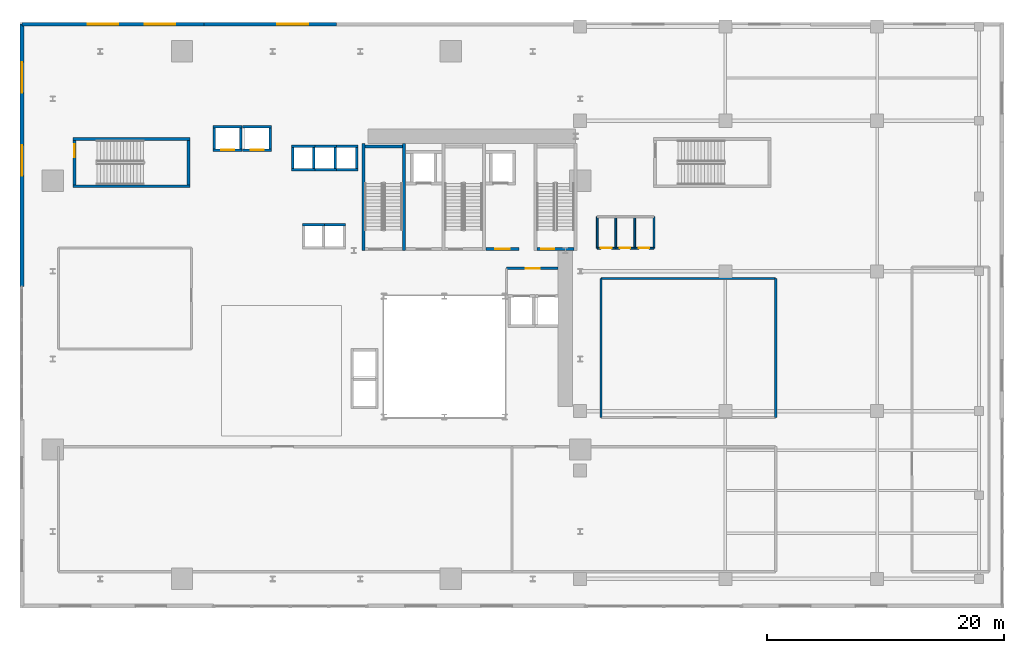
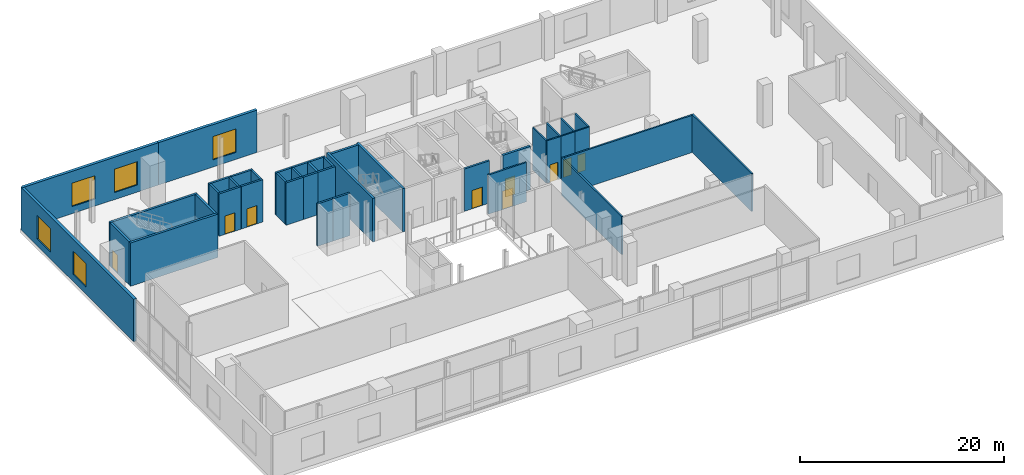
# One storey, part 7 of 12: 42 walls, 9 doors, 5 windows, 14 openings.
"""IFC4 building model written with IfcOpenShell, lengths in metres."""

from ifc_helpers import new_model, si_unit, direction, frame, frame_2d, origin, place, context, subcontext, project, spatial, rectangle, extrude, source, transform, mapped, material, layer, layer_set, type_object, element, fill, save


model = new_model("IFC4")

# Units and contexts
model_context = context("Model", 3, precision=1e-05, world=origin(), true_north=direction((0.0, 1.0)))
body_context = subcontext(model_context, "Body", "Model", "MODEL_VIEW")
ifc_project = project(units=[si_unit("LENGTHUNIT", "METRE"), si_unit("AREAUNIT", "SQUARE_METRE"), si_unit("VOLUMEUNIT", "CUBIC_METRE"), si_unit("PLANEANGLEUNIT", "RADIAN"), si_unit("MASSUNIT", "GRAM", prefix="KILO")], contexts=[model_context])

# Site, building, storey
site_placement = place(None, origin())
site = spatial("IfcSite", under=ifc_project, at=site_placement, CompositionType="ELEMENT")
building_placement = place(site_placement, origin())
building = spatial("IfcBuilding", under=site, at=building_placement, Name="Vardaveli Station Tower", CompositionType="ELEMENT")
storey_placement = place(building_placement, frame((0.0, 0.0, 17.0)))
storey = spatial("IfcBuildingStorey", under=building, at=storey_placement, Name="L04", CompositionType="ELEMENT", Elevation=17.0)

# Wall, openings, windows
ifc_material_1 = material(Name="Precast concrete C45/55", Category="concrete")
ifc_layer_1 = layer(ifc_material_1, 0.320068359375, Name="Precast concrete C45/55")
ifc_layer_set_1 = layer_set([ifc_layer_1], Name="Precast concrete C45/55")
wall_type_1 = type_object("IfcWallType", Name="WAL-EXT-STONE-320", PredefinedType="SOLIDWALL", material=ifc_layer_set_1)
shared_shape_1 = source(origin(), body_context, "Body", "SweptSolid", [
    extrude(rectangle(XDim=15.35009765625, YDim=0.320068359375, at=frame_2d((7.675048828125, 0.0))), origin(), (0.0, 0.0, 1.0), 5.080078125),
])
wall_1_placement = place(storey_placement, frame((16.0, 49.75, 0.0), z_axis=(0.0, 0.0, 1.0), x_axis=(-1.0, 0.0, 0.0)))
wall_1 = element("IfcWall", 1, at=wall_1_placement, inside=storey, type_object=wall_type_1, Name="EW-L04-N1", PredefinedType="SOLIDWALL", context=body_context, shape_type="MappedRepresentation", body=[
    mapped(shared_shape_1, transform((0.0, 0.0, 0.0), scale=1.0)),
])
shared_shape_2 = source(origin(), body_context, "Body", "SweptSolid", [
    extrude(rectangle(XDim=2.60009765625, YDim=2.800048828125, at=frame_2d((1.300048828125, 1.39990234375))), frame((0.0, 0.169921875, 0.0), z_axis=(0.0, -1.0, 0.0), x_axis=(1.0, 0.0, 0.0)), (0.0, 0.0, 1.0), 0.340087890625),
])
opening_1_placement = place(wall_1_placement, frame((2.39990234375, 0.0, 0.85009765625)))
opening_1 = element("IfcOpeningElement", 2, at=opening_1_placement, cuts=wall_1, Name="Opening W-02", PredefinedType="OPENING", context=body_context, shape_type="MappedRepresentation", body=[
    mapped(shared_shape_2, transform((0.0, 0.0, 0.0), scale=1.0)),
])
opening_2_placement = place(wall_1_placement, frame((7.199951171875, 0.0, 0.85009765625)))
opening_2 = element("IfcOpeningElement", 3, at=opening_2_placement, cuts=wall_1, Name="Opening W-02", PredefinedType="OPENING", context=body_context, shape_type="MappedRepresentation", body=[
    mapped(shared_shape_2, transform((0.0, 0.0, 0.0), scale=1.0)),
])
ifc_material_2 = material(Name="Low-E solar-control glass", Category="glass")
window_type = type_object("IfcWindowType", Name="WIN-POD-2600x2800", PartitioningType="SINGLE_PANEL", PredefinedType="WINDOW", material=ifc_material_2)
shared_shape_3 = source(origin(), body_context, "Body", "SweptSolid", [
    extrude(rectangle(XDim=2.60009765625, YDim=2.800048828125, at=frame_2d((1.300048828125, 1.39990234375))), frame((0.0, 0.030029296875, 0.0), z_axis=(0.0, -1.0, 0.0), x_axis=(1.0, 0.0, 0.0)), (0.0, 0.0, 1.0), 0.06005859375),
])
window_1_placement = place(opening_1_placement, origin())
window_1 = element("IfcWindow", 4, at=window_1_placement, inside=storey, type_object=window_type, Name="WN-L04-N1A", OverallHeight=2.800048828125, OverallWidth=2.60009765625, PartitioningType="SINGLE_PANEL", PredefinedType="WINDOW", context=body_context, shape_type="MappedRepresentation", body=[
    mapped(shared_shape_3, transform((0.0, 0.0, 0.0), scale=1.0)),
])
fill(opening_1, window_1)
window_2_placement = place(opening_2_placement, origin())
window_2 = element("IfcWindow", 5, at=window_2_placement, inside=storey, type_object=window_type, Name="WN-L04-N1B", OverallHeight=2.800048828125, OverallWidth=2.60009765625, PartitioningType="SINGLE_PANEL", PredefinedType="WINDOW", context=body_context, shape_type="MappedRepresentation", body=[
    mapped(shared_shape_3, transform((0.0, 0.0, 0.0), scale=1.0)),
])
fill(opening_2, window_2)

# Wall, opening, window
shared_shape_4 = source(origin(), body_context, "Body", "SweptSolid", [
    extrude(rectangle(XDim=11.199951171875, YDim=0.320068359375, at=frame_2d((5.60009765625, 0.0))), origin(), (0.0, 0.0, 1.0), 5.080078125),
])
wall_2_placement = place(storey_placement, frame((27.199951171875, 49.75, 0.0), z_axis=(0.0, 0.0, 1.0), x_axis=(-1.0, 0.0, 0.0)))
wall_2 = element("IfcWall", 6, at=wall_2_placement, inside=storey, type_object=wall_type_1, Name="EW-L04-N2", PredefinedType="SOLIDWALL", context=body_context, shape_type="MappedRepresentation", body=[
    mapped(shared_shape_4, transform((0.0, 0.0, 0.0), scale=1.0)),
])
opening_3_placement = place(wall_2_placement, frame((2.39990234375, 0.0, 0.85009765625)))
opening_3 = element("IfcOpeningElement", 7, at=opening_3_placement, cuts=wall_2, Name="Opening W-02", PredefinedType="OPENING", context=body_context, shape_type="MappedRepresentation", body=[
    mapped(shared_shape_2, transform((0.0, 0.0, 0.0), scale=1.0)),
])
window_3_placement = place(opening_3_placement, origin())
window_3 = element("IfcWindow", 8, at=window_3_placement, inside=storey, type_object=window_type, Name="WN-L04-N2A", OverallHeight=2.800048828125, OverallWidth=2.60009765625, PartitioningType="SINGLE_PANEL", PredefinedType="WINDOW", context=body_context, shape_type="MappedRepresentation", body=[
    mapped(shared_shape_3, transform((0.0, 0.0, 0.0), scale=1.0)),
])
fill(opening_3, window_3)

# Wall, openings, windows
shared_shape_5 = source(origin(), body_context, "Body", "SweptSolid", [
    extrude(rectangle(XDim=22.14990234375, YDim=0.320068359375, at=frame_2d((11.074951171875, 0.0))), origin(), (0.0, 0.0, 1.0), 5.080078125),
])
wall_3_placement = place(storey_placement, frame((0.64990234375, 49.75, 0.0), z_axis=(0.0, 0.0, 1.0), x_axis=(0.0, -1.0, 0.0)))
wall_3 = element("IfcWall", 9, at=wall_3_placement, inside=storey, type_object=wall_type_1, Name="EW-L04-W3", PredefinedType="SOLIDWALL", context=body_context, shape_type="MappedRepresentation", body=[
    mapped(shared_shape_5, transform((0.0, 0.0, 0.0), scale=1.0)),
])
opening_4_placement = place(wall_3_placement, frame((3.199951171875, 0.0, 0.85009765625)))
opening_4 = element("IfcOpeningElement", 10, at=opening_4_placement, cuts=wall_3, Name="Opening W-02", PredefinedType="OPENING", context=body_context, shape_type="MappedRepresentation", body=[
    mapped(shared_shape_2, transform((0.0, 0.0, 0.0), scale=1.0)),
])
opening_5_placement = place(wall_3_placement, frame((10.199951171875, 0.0, 0.85009765625)))
opening_5 = element("IfcOpeningElement", 11, at=opening_5_placement, cuts=wall_3, Name="Opening W-02", PredefinedType="OPENING", context=body_context, shape_type="MappedRepresentation", body=[
    mapped(shared_shape_2, transform((0.0, 0.0, 0.0), scale=1.0)),
])
window_4_placement = place(opening_4_placement, origin())
window_4 = element("IfcWindow", 12, at=window_4_placement, inside=storey, type_object=window_type, Name="WN-L04-W3A", OverallHeight=2.800048828125, OverallWidth=2.60009765625, PartitioningType="SINGLE_PANEL", PredefinedType="WINDOW", context=body_context, shape_type="MappedRepresentation", body=[
    mapped(shared_shape_3, transform((0.0, 0.0, 0.0), scale=1.0)),
])
fill(opening_4, window_4)
window_5_placement = place(opening_5_placement, origin())
window_5 = element("IfcWindow", 13, at=window_5_placement, inside=storey, type_object=window_type, Name="WN-L04-W3B", OverallHeight=2.800048828125, OverallWidth=2.60009765625, PartitioningType="SINGLE_PANEL", PredefinedType="WINDOW", context=body_context, shape_type="MappedRepresentation", body=[
    mapped(shared_shape_3, transform((0.0, 0.0, 0.0), scale=1.0)),
])
fill(opening_5, window_5)

# Walls
ifc_material_3 = material(Name="Concrete C40/50", Category="concrete")
ifc_layer_2 = layer(ifc_material_3, 0.25, Name="Concrete C40/50")
ifc_layer_set_2 = layer_set([ifc_layer_2], Name="Concrete C40/50")
wall_type_2 = type_object("IfcWallType", Name="WAL-SHAFT-250", PredefinedType="SOLIDWALL", material=ifc_layer_set_2)
shared_shape_6 = source(origin(), body_context, "Body", "SweptSolid", [
    extrude(rectangle(XDim=9.050048828125, YDim=0.25, at=frame_2d((4.52490234375, 0.0))), origin(), (0.0, 0.0, 1.0), 5.199951171875),
])
for number, where, z_axis, x_axis, name in (
    (14, (29.47509765625, 30.64990234375, 0.0), (0.0, 0.0, 1.0), (0.0, 1.0, 0.0), "W-L04-ST-1W"),
    (15, (32.875, 30.64990234375, 0.0), (0.0, 0.0, 1.0), (0.0, 1.0, 0.0), "W-L04-ST-1E"),
):
    element("IfcWall", number, at=place(storey_placement, frame(where, z_axis=z_axis, x_axis=x_axis)), inside=storey, type_object=wall_type_2, Name=name, PredefinedType="SOLIDWALL", context=body_context, shape_type="MappedRepresentation", body=[
        mapped(shared_shape_6, transform((0.0, 0.0, 0.0), scale=1.0)),
    ])
shared_shape_7 = source(origin(), body_context, "Body", "SweptSolid", [
    extrude(rectangle(XDim=3.14990234375, YDim=0.25, at=frame_2d((1.574951171875, 0.0))), origin(), (0.0, 0.0, 1.0), 5.199951171875),
])
wall_4_placement = place(storey_placement, frame((29.60009765625, 39.425048828125, 0.0), z_axis=(0.0, 0.0, 1.0), x_axis=(1.0, 0.0, 0.0)))
element("IfcWall", 16, at=wall_4_placement, inside=storey, type_object=wall_type_2, Name="W-L04-ST-1N", PredefinedType="SOLIDWALL", context=body_context, shape_type="MappedRepresentation", body=[
    mapped(shared_shape_7, transform((0.0, 0.0, 0.0), scale=1.0)),
])

# Wall, opening, door
wall_5_placement = place(storey_placement, frame((44.10009765625, 30.77490234375, 0.0), z_axis=(0.0, 0.0, 1.0), x_axis=(1.0, 0.0, 0.0)))
wall_5 = element("IfcWall", 17, at=wall_5_placement, inside=storey, type_object=wall_type_2, Name="W-L04-ST-3S", PredefinedType="SOLIDWALL", context=body_context, shape_type="MappedRepresentation", body=[
    mapped(shared_shape_7, transform((0.0, 0.0, 0.0), scale=1.0)),
])
shared_shape_8 = source(origin(), body_context, "Body", "SweptSolid", [
    extrude(rectangle(XDim=1.10009765625, YDim=2.199951171875, at=frame_2d((0.550048828125, 1.10009765625))), frame((0.0, 0.135009765625, 0.0), z_axis=(0.0, -1.0, 0.0), x_axis=(1.0, 0.0, 0.0)), (0.0, 0.0, 1.0), 0.27001953125),
])
opening_6_placement = place(wall_5_placement, frame((0.35009765625, 0.0, 0.0)))
opening_6 = element("IfcOpeningElement", 18, at=opening_6_placement, cuts=wall_5, Name="Opening D-04", PredefinedType="OPENING", context=body_context, shape_type="MappedRepresentation", body=[
    mapped(shared_shape_8, transform((0.0, 0.0, 0.0), scale=1.0)),
])
ifc_material_4 = material(Name="Steel smokeproof fire doorset", Category="steel")
door_type_1 = type_object("IfcDoorType", Name="DR-ST-1100x2200", OperationType="NOTDEFINED", PredefinedType="DOOR", material=ifc_material_4)
shared_shape_9 = source(origin(), body_context, "Body", "SweptSolid", [
    extrude(rectangle(XDim=1.10009765625, YDim=2.199951171875, at=frame_2d((0.550048828125, 1.10009765625))), frame((0.0, 0.02490234375, 0.0), z_axis=(0.0, -1.0, 0.0), x_axis=(1.0, 0.0, 0.0)), (0.0, 0.0, 1.0), 0.050048828125),
])
door_1_placement = place(opening_6_placement, origin())
door_1 = element("IfcDoor", 19, at=door_1_placement, inside=storey, type_object=door_type_1, Name="DST-3-L04", OperationType="SINGLE_SWING_LEFT", OverallHeight=2.199951171875, OverallWidth=1.10009765625, PredefinedType="DOOR", context=body_context, shape_type="MappedRepresentation", body=[
    mapped(shared_shape_9, transform((0.0, 0.0, 0.0), scale=1.0)),
])
fill(opening_6, door_1)

# Walls
shared_shape_10 = source(origin(), body_context, "Body", "SweptSolid", [
    extrude(rectangle(XDim=9.900146484375, YDim=0.25, at=frame_2d((4.9501953125, 0.0))), origin(), (0.0, 0.0, 1.0), 5.199951171875),
])
for number, where, z_axis, x_axis, name in (
    (20, (4.949951171875, 36.074951171875, 0.0), (0.0, 0.0, 1.0), (1.0, 0.0, 0.0), "W-L04-ST-P1S"),
    (21, (4.949951171875, 40.074951171875, 0.0), (0.0, 0.0, 1.0), (1.0, 0.0, 0.0), "W-L04-ST-P1N"),
):
    element("IfcWall", number, at=place(storey_placement, frame(where, z_axis=z_axis, x_axis=x_axis)), inside=storey, type_object=wall_type_2, Name=name, PredefinedType="SOLIDWALL", context=body_context, shape_type="MappedRepresentation", body=[
        mapped(shared_shape_10, transform((0.0, 0.0, 0.0), scale=1.0)),
    ])
shared_shape_11 = source(origin(), body_context, "Body", "SweptSolid", [
    extrude(rectangle(XDim=3.75, YDim=0.25, at=frame_2d((1.875, 0.0))), origin(), (0.0, 0.0, 1.0), 5.199951171875),
])
wall_6_placement = place(storey_placement, frame((14.72509765625, 36.199951171875, 0.0), z_axis=(0.0, 0.0, 1.0), x_axis=(0.0, 1.0, 0.0)))
element("IfcWall", 22, at=wall_6_placement, inside=storey, type_object=wall_type_2, Name="W-L04-ST-P1E", PredefinedType="SOLIDWALL", context=body_context, shape_type="MappedRepresentation", body=[
    mapped(shared_shape_11, transform((0.0, 0.0, 0.0), scale=1.0)),
])

# Wall, opening, door
wall_7_placement = place(storey_placement, frame((5.074951171875, 36.199951171875, 0.0), z_axis=(0.0, 0.0, 1.0), x_axis=(0.0, 1.0, 0.0)))
wall_7 = element("IfcWall", 23, at=wall_7_placement, inside=storey, type_object=wall_type_2, Name="W-L04-ST-P1W", PredefinedType="SOLIDWALL", context=body_context, shape_type="MappedRepresentation", body=[
    mapped(shared_shape_11, transform((0.0, 0.0, 0.0), scale=1.0)),
])
opening_7_placement = place(wall_7_placement, frame((2.300048828125, 0.0, 0.0)))
opening_7 = element("IfcOpeningElement", 24, at=opening_7_placement, cuts=wall_7, Name="Opening D-04", PredefinedType="OPENING", context=body_context, shape_type="MappedRepresentation", body=[
    mapped(shared_shape_8, transform((0.0, 0.0, 0.0), scale=1.0)),
])
door_2_placement = place(opening_7_placement, origin())
door_2 = element("IfcDoor", 25, at=door_2_placement, inside=storey, type_object=door_type_1, Name="DST-P1-L04", OperationType="SINGLE_SWING_RIGHT", OverallHeight=2.199951171875, OverallWidth=1.10009765625, PredefinedType="DOOR", context=body_context, shape_type="MappedRepresentation", body=[
    mapped(shared_shape_9, transform((0.0, 0.0, 0.0), scale=1.0)),
])
fill(opening_7, door_2)

ifc_layer_3 = layer(ifc_material_3, 0.219970703125, Name="Concrete C40/50")
ifc_layer_set_3 = layer_set([ifc_layer_3], Name="Concrete C40/50")
wall_type_3 = type_object("IfcWallType", Name="WAL-FFLOBBY-220", PredefinedType="SOLIDWALL", material=ifc_layer_set_3)
shared_shape_12 = source(origin(), body_context, "Body", "SweptSolid", [
    extrude(rectangle(XDim=2.800048828125, YDim=0.219970703125, at=frame_2d((1.39990234375, 0.0))), origin(), (0.0, 0.0, 1.0), 5.080078125),
])
wall_8_placement = place(storey_placement, frame((39.800048828125, 30.780029296875, 0.0), z_axis=(0.0, 0.0, 1.0), x_axis=(1.0, 0.0, 0.0)))
wall_8 = element("IfcWall", 26, at=wall_8_placement, inside=storey, type_object=wall_type_3, Name="W-L04-FFL2S", PredefinedType="SOLIDWALL", context=body_context, shape_type="MappedRepresentation", body=[
    mapped(shared_shape_12, transform((0.0, 0.0, 0.0), scale=1.0)),
])
shared_shape_13 = source(origin(), body_context, "Body", "SweptSolid", [
    extrude(rectangle(XDim=1.199951171875, YDim=2.199951171875, at=frame_2d((0.60009765625, 1.10009765625))), frame((0.0, 0.1201171875, 0.0), z_axis=(0.0, -1.0, 0.0), x_axis=(1.0, 0.0, 0.0)), (0.0, 0.0, 1.0), 0.239990234375),
])
opening_8_placement = place(wall_8_placement, frame((0.800048828125, 0.0, 0.0)))
opening_8 = element("IfcOpeningElement", 27, at=opening_8_placement, cuts=wall_8, Name="Opening D-03", PredefinedType="OPENING", context=body_context, shape_type="MappedRepresentation", body=[
    mapped(shared_shape_13, transform((0.0, 0.0, 0.0), scale=1.0)),
])
door_type_2 = type_object("IfcDoorType", Name="DR-FFL-1200x2200", OperationType="NOTDEFINED", PredefinedType="DOOR", material=ifc_material_4)
shared_shape_14 = source(origin(), body_context, "Body", "SweptSolid", [
    extrude(rectangle(XDim=1.199951171875, YDim=2.199951171875, at=frame_2d((0.60009765625, 1.10009765625))), frame((0.0, 0.02490234375, 0.0), z_axis=(0.0, -1.0, 0.0), x_axis=(1.0, 0.0, 0.0)), (0.0, 0.0, 1.0), 0.050048828125),
])
door_3_placement = place(opening_8_placement, origin())
door_3 = element("IfcDoor", 28, at=door_3_placement, inside=storey, type_object=door_type_2, Name="DFFL2-L04", OperationType="SINGLE_SWING_RIGHT", OverallHeight=2.199951171875, OverallWidth=1.199951171875, PredefinedType="DOOR", context=body_context, shape_type="MappedRepresentation", body=[
    mapped(shared_shape_14, transform((0.0, 0.0, 0.0), scale=1.0)),
])
fill(opening_8, door_3)

shared_shape_15 = source(origin(), body_context, "Body", "SweptSolid", [
    extrude(rectangle(XDim=2.43994140625, YDim=0.219970703125, at=frame_2d((1.219970703125, 0.0))), origin(), (0.0, 0.0, 1.0), 5.080078125),
])
wall_9_placement = place(storey_placement, frame((16.780029296875, 39.114990234375, 0.0), z_axis=(0.0, 0.0, 1.0), x_axis=(1.0, 0.0, 0.0)))
wall_9 = element("IfcWall", 29, at=wall_9_placement, inside=storey, type_object=wall_type_3, Name="SHW-POD-01-L04-S", PredefinedType="SOLIDWALL", context=body_context, shape_type="MappedRepresentation", body=[
    mapped(shared_shape_15, transform((0.0, 0.0, 0.0), scale=1.0)),
])
shared_shape_16 = source(origin(), body_context, "Body", "SweptSolid", [
    extrude(rectangle(XDim=1.10009765625, YDim=2.199951171875, at=frame_2d((0.550048828125, 1.10009765625))), frame((0.0, 0.1201171875, 0.0), z_axis=(0.0, -1.0, 0.0), x_axis=(1.0, 0.0, 0.0)), (0.0, 0.0, 1.0), 0.239990234375),
])
opening_9_placement = place(wall_9_placement, frame((0.669921875, 0.0, 0.0)))
opening_9 = element("IfcOpeningElement", 30, at=opening_9_placement, cuts=wall_9, Name="Opening LD-01", PredefinedType="OPENING", context=body_context, shape_type="MappedRepresentation", body=[
    mapped(shared_shape_16, transform((0.0, 0.0, 0.0), scale=1.0)),
])
ifc_material_5 = material(Name="Brushed stainless steel", Category="steel")
door_type_3 = type_object("IfcDoorType", Name="DR-LD-1100x2200", OperationType="DOUBLE_DOOR_SLIDING", PredefinedType="DOOR", material=ifc_material_5)
door_4_placement = place(opening_9_placement, origin())
door_4 = element("IfcDoor", 31, at=door_4_placement, inside=storey, type_object=door_type_3, Name="LD-POD-01-L04", OperationType="DOUBLE_DOOR_SLIDING", OverallHeight=2.199951171875, OverallWidth=1.10009765625, PredefinedType="DOOR", context=body_context, shape_type="MappedRepresentation", body=[
    mapped(shared_shape_9, transform((0.0, 0.0, 0.0), scale=1.0)),
])
fill(opening_9, door_4)

# Wall
wall_10_placement = place(storey_placement, frame((16.780029296875, 41.0849609375, 0.0), z_axis=(0.0, 0.0, 1.0), x_axis=(1.0, 0.0, 0.0)))
element("IfcWall", 32, at=wall_10_placement, inside=storey, type_object=wall_type_3, Name="SHW-POD-01-L04-N", PredefinedType="SOLIDWALL", context=body_context, shape_type="MappedRepresentation", body=[
    mapped(shared_shape_15, transform((0.0, 0.0, 0.0), scale=1.0)),
])

# Wall, opening, door
wall_11_placement = place(storey_placement, frame((19.280029296875, 39.114990234375, 0.0), z_axis=(0.0, 0.0, 1.0), x_axis=(1.0, 0.0, 0.0)))
wall_11 = element("IfcWall", 33, at=wall_11_placement, inside=storey, type_object=wall_type_3, Name="SHW-POD-02-L04-S", PredefinedType="SOLIDWALL", context=body_context, shape_type="MappedRepresentation", body=[
    mapped(shared_shape_15, transform((0.0, 0.0, 0.0), scale=1.0)),
])
opening_10_placement = place(wall_11_placement, frame((0.669921875, 0.0, 0.0)))
opening_10 = element("IfcOpeningElement", 34, at=opening_10_placement, cuts=wall_11, Name="Opening LD-01", PredefinedType="OPENING", context=body_context, shape_type="MappedRepresentation", body=[
    mapped(shared_shape_16, transform((0.0, 0.0, 0.0), scale=1.0)),
])
door_5_placement = place(opening_10_placement, origin())
door_5 = element("IfcDoor", 35, at=door_5_placement, inside=storey, type_object=door_type_3, Name="LD-POD-02-L04", OperationType="DOUBLE_DOOR_SLIDING", OverallHeight=2.199951171875, OverallWidth=1.10009765625, PredefinedType="DOOR", context=body_context, shape_type="MappedRepresentation", body=[
    mapped(shared_shape_9, transform((0.0, 0.0, 0.0), scale=1.0)),
])
fill(opening_10, door_5)

# Walls
wall_12_placement = place(storey_placement, frame((19.280029296875, 41.0849609375, 0.0), z_axis=(0.0, 0.0, 1.0), x_axis=(1.0, 0.0, 0.0)))
element("IfcWall", 36, at=wall_12_placement, inside=storey, type_object=wall_type_3, Name="SHW-POD-02-L04-N", PredefinedType="SOLIDWALL", context=body_context, shape_type="MappedRepresentation", body=[
    mapped(shared_shape_15, transform((0.0, 0.0, 0.0), scale=1.0)),
])
shared_shape_17 = source(origin(), body_context, "Body", "SweptSolid", [
    extrude(rectangle(XDim=1.75, YDim=0.219970703125, at=frame_2d((0.875, 0.0))), origin(), (0.0, 0.0, 1.0), 5.080078125),
])
for number, where, z_axis, x_axis, name in (
    (37, (16.889892578125, 39.22509765625, 0.0), (0.0, 0.0, 1.0), (0.0, 1.0, 0.0), "SHW-POD-01-L04-W"),
    (38, (19.110107421875, 39.22509765625, 0.0), (0.0, 0.0, 1.0), (0.0, 1.0, 0.0), "SHW-POD-01-L04-E"),
    (39, (21.610107421875, 39.22509765625, 0.0), (0.0, 0.0, 1.0), (0.0, 1.0, 0.0), "SHW-POD-02-L04-E"),
    (40, (23.514892578125, 37.574951171875, 0.0), (0.0, 0.0, 1.0), (0.0, 1.0, 0.0), "SHW-HL1-01-L04-W"),
    (41, (25.284912109375, 37.574951171875, 0.0), (0.0, 0.0, 1.0), (0.0, 1.0, 0.0), "SHW-HL1-01-L04-E"),
    (42, (27.0849609375, 37.574951171875, 0.0), (0.0, 0.0, 1.0), (0.0, 1.0, 0.0), "SHW-HL1-02-L04-E"),
    (43, (28.885009765625, 37.574951171875, 0.0), (0.0, 0.0, 1.0), (0.0, 1.0, 0.0), "SHW-HL1-03-L04-E"),
):
    element("IfcWall", number, at=place(storey_placement, frame(where, z_axis=z_axis, x_axis=x_axis)), inside=storey, type_object=wall_type_3, Name=name, PredefinedType="SOLIDWALL", context=body_context, shape_type="MappedRepresentation", body=[
        mapped(shared_shape_17, transform((0.0, 0.0, 0.0), scale=1.0)),
    ])
shared_shape_18 = source(origin(), body_context, "Body", "SweptSolid", [
    extrude(rectangle(XDim=1.989990234375, YDim=0.219970703125, at=frame_2d((0.9951171875, 0.0))), origin(), (0.0, 0.0, 1.0), 5.080078125),
])
for number, where, z_axis, x_axis, name in (
    (44, (23.405029296875, 37.465087890625, 0.0), (0.0, 0.0, 1.0), (1.0, 0.0, 0.0), "SHW-HL1-01-L04-S"),
    (45, (23.405029296875, 39.43505859375, 0.0), (0.0, 0.0, 1.0), (1.0, 0.0, 0.0), "SHW-HL1-01-L04-N"),
    (46, (25.205078125, 37.465087890625, 0.0), (0.0, 0.0, 1.0), (1.0, 0.0, 0.0), "SHW-HL1-02-L04-S"),
    (47, (25.205078125, 39.43505859375, 0.0), (0.0, 0.0, 1.0), (1.0, 0.0, 0.0), "SHW-HL1-02-L04-N"),
):
    element("IfcWall", number, at=place(storey_placement, frame(where, z_axis=z_axis, x_axis=x_axis)), inside=storey, type_object=wall_type_3, Name=name, PredefinedType="SOLIDWALL", context=body_context, shape_type="MappedRepresentation", body=[
        mapped(shared_shape_18, transform((0.0, 0.0, 0.0), scale=1.0)),
    ])
shared_shape_19 = source(origin(), body_context, "Body", "SweptSolid", [
    extrude(rectangle(XDim=1.990234375, YDim=0.219970703125, at=frame_2d((0.9951171875, 0.0))), origin(), (0.0, 0.0, 1.0), 5.080078125),
])
for number, where, z_axis, x_axis, name in (
    (48, (27.0048828125, 37.465087890625, 0.0), (0.0, 0.0, 1.0), (1.0, 0.0, 0.0), "SHW-HL1-03-L04-S"),
    (49, (27.0048828125, 39.43505859375, 0.0), (0.0, 0.0, 1.0), (1.0, 0.0, 0.0), "SHW-HL1-03-L04-N"),
):
    element("IfcWall", number, at=place(storey_placement, frame(where, z_axis=z_axis, x_axis=x_axis)), inside=storey, type_object=wall_type_3, Name=name, PredefinedType="SOLIDWALL", context=body_context, shape_type="MappedRepresentation", body=[
        mapped(shared_shape_19, transform((0.0, 0.0, 0.0), scale=1.0)),
    ])
shared_shape_20 = source(origin(), body_context, "Body", "SweptSolid", [
    extrude(rectangle(XDim=1.89013671875, YDim=0.219970703125, at=frame_2d((0.945068359375, 0.0))), origin(), (0.0, 0.0, 1.0), 5.080078125),
])
for number, where, z_axis, x_axis, name in (
    (50, (24.304931640625, 32.81005859375, 0.0), (0.0, 0.0, 1.0), (1.0, 0.0, 0.0), "SHW-SHU-01-L04-N"),
    (51, (26.054931640625, 32.81005859375, 0.0), (0.0, 0.0, 1.0), (1.0, 0.0, 0.0), "SHW-SHU-02-L04-N"),
):
    element("IfcWall", number, at=place(storey_placement, frame(where, z_axis=z_axis, x_axis=x_axis)), inside=storey, type_object=wall_type_3, Name=name, PredefinedType="SOLIDWALL", context=body_context, shape_type="MappedRepresentation", body=[
        mapped(shared_shape_20, transform((0.0, 0.0, 0.0), scale=1.0)),
    ])
ifc_material_6 = material(Name="Fire-rated gypsum stud partition")
ifc_layer_4 = layer(ifc_material_6, 0.179931640625, Name="Fire-rated gypsum stud partition")
ifc_layer_set_4 = layer_set([ifc_layer_4], Name="Fire-rated gypsum stud partition")
wall_type_4 = type_object("IfcWallType", Name="WAL-CORR-180", PredefinedType="PARTITIONING", material=ifc_layer_set_4)
shared_shape_21 = source(origin(), body_context, "Body", "SweptSolid", [
    extrude(rectangle(XDim=14.75, YDim=0.179931640625, at=frame_2d((7.375, 0.0))), origin(), (0.0, 0.0, 1.0), 4.471923828125),
])
wall_13_placement = place(storey_placement, frame((49.5, 28.300048828125, 0.0), z_axis=(0.0, 0.0, 1.0), x_axis=(1.0, 0.0, 0.0)))
element("IfcWall", 52, at=wall_13_placement, inside=storey, type_object=wall_type_4, Name="W-L04-MN3-N", PredefinedType="PARTITIONING", context=body_context, shape_type="MappedRepresentation", body=[
    mapped(shared_shape_21, transform((0.0, 0.0, 0.0), scale=1.0)),
])

# Wall, opening, door
shared_shape_22 = source(origin(), body_context, "Body", "SweptSolid", [
    extrude(rectangle(XDim=4.347900390625, YDim=0.179931640625, at=frame_2d((2.173828125, 0.0))), origin(), (0.0, 0.0, 1.0), 4.7119140625),
])
wall_14_placement = place(storey_placement, frame((41.550048828125, 29.14990234375, 0.0), z_axis=(0.0, 0.0, 1.0), x_axis=(1.0, 0.0, 0.0)))
wall_14 = element("IfcWall", 53, at=wall_14_placement, inside=storey, type_object=wall_type_4, Name="W-L04-SVFN", PredefinedType="PARTITIONING", context=body_context, shape_type="MappedRepresentation", body=[
    mapped(shared_shape_22, transform((0.0, 0.0, 0.0), scale=1.0)),
])
shared_shape_23 = source(origin(), body_context, "Body", "SweptSolid", [
    extrude(rectangle(XDim=1.199951171875, YDim=2.199951171875, at=frame_2d((0.60009765625, 1.10009765625))), frame((0.0, 0.10009765625, 0.0), z_axis=(0.0, -1.0, 0.0), x_axis=(1.0, 0.0, 0.0)), (0.0, 0.0, 1.0), 0.199951171875),
])
opening_11_placement = place(wall_14_placement, frame((1.60009765625, 0.0, 0.0)))
opening_11 = element("IfcOpeningElement", 54, at=opening_11_placement, cuts=wall_14, Name="Opening D-03", PredefinedType="OPENING", context=body_context, shape_type="MappedRepresentation", body=[
    mapped(shared_shape_23, transform((0.0, 0.0, 0.0), scale=1.0)),
])
door_6_placement = place(opening_11_placement, origin())
door_6 = element("IfcDoor", 55, at=door_6_placement, inside=storey, type_object=door_type_2, Name="D-L04-SVF", OperationType="SINGLE_SWING_LEFT", OverallHeight=2.199951171875, OverallWidth=1.199951171875, PredefinedType="DOOR", context=body_context, shape_type="MappedRepresentation", body=[
    mapped(shared_shape_14, transform((0.0, 0.0, 0.0), scale=1.0)),
])
fill(opening_11, door_6)

ifc_material_7 = material(Name="Moisture-resistant stud partition")
ifc_layer_5 = layer(ifc_material_7, 0.14990234375, Name="Moisture-resistant stud partition")
ifc_layer_set_5 = layer_set([ifc_layer_5], Name="Moisture-resistant stud partition")
wall_type_5 = type_object("IfcWallType", Name="WAL-WET-150", PredefinedType="PARTITIONING", material=ifc_layer_set_5)
shared_shape_24 = source(origin(), body_context, "Body", "SweptSolid", [
    extrude(rectangle(XDim=1.619873046875, YDim=0.14990234375, at=frame_2d((0.81005859375, 0.0))), origin(), (0.0, 0.0, 1.0), 5.080078125),
])
wall_15_placement = place(storey_placement, frame((52.360107421875, 30.85009765625, 0.0), z_axis=(0.0, 0.0, 1.0), x_axis=(1.0, 0.0, 0.0)))
wall_15 = element("IfcWall", 56, at=wall_15_placement, inside=storey, type_object=wall_type_5, Name="W-L04-WCF-S", PredefinedType="PARTITIONING", context=body_context, shape_type="MappedRepresentation", body=[
    mapped(shared_shape_24, transform((0.0, 0.0, 0.0), scale=1.0)),
])
shared_shape_25 = source(origin(), body_context, "Body", "SweptSolid", [
    extrude(rectangle(XDim=0.919921875, YDim=2.10009765625, at=frame_2d((0.4599609375, 1.050048828125))), frame((0.0, 0.0849609375, 0.0), z_axis=(0.0, -1.0, 0.0), x_axis=(1.0, 0.0, 0.0)), (0.0, 0.0, 1.0), 0.169921875),
])
opening_12_placement = place(wall_15_placement, frame((0.320068359375, 0.0, 0.0)))
opening_12 = element("IfcOpeningElement", 57, at=opening_12_placement, cuts=wall_15, Name="Opening D-07", PredefinedType="OPENING", context=body_context, shape_type="MappedRepresentation", body=[
    mapped(shared_shape_25, transform((0.0, 0.0, 0.0), scale=1.0)),
])
ifc_material_8 = material(Name="Moisture-resistant hardwood door", Category="wood")
door_type_4 = type_object("IfcDoorType", Name="DR-WC-920x2100", OperationType="NOTDEFINED", PredefinedType="DOOR", material=ifc_material_8)
shared_shape_26 = source(origin(), body_context, "Body", "SweptSolid", [
    extrude(rectangle(XDim=0.919921875, YDim=2.10009765625, at=frame_2d((0.4599609375, 1.050048828125))), frame((0.0, 0.02490234375, 0.0), z_axis=(0.0, -1.0, 0.0), x_axis=(1.0, 0.0, 0.0)), (0.0, 0.0, 1.0), 0.050048828125),
])
door_7_placement = place(opening_12_placement, origin())
door_7 = element("IfcDoor", 58, at=door_7_placement, inside=storey, type_object=door_type_4, Name="D-L04-WCF", OperationType="SINGLE_SWING_RIGHT", OverallHeight=2.10009765625, OverallWidth=0.919921875, PredefinedType="DOOR", context=body_context, shape_type="MappedRepresentation", body=[
    mapped(shared_shape_26, transform((0.0, 0.0, 0.0), scale=1.0)),
])
fill(opening_12, door_7)

shared_shape_27 = source(origin(), body_context, "Body", "SweptSolid", [
    extrude(rectangle(XDim=1.610107421875, YDim=0.14990234375, at=frame_2d((0.80517578125, 0.0))), origin(), (0.0, 0.0, 1.0), 5.080078125),
])
wall_16_placement = place(storey_placement, frame((50.75, 30.85009765625, 0.0), z_axis=(0.0, 0.0, 1.0), x_axis=(1.0, 0.0, 0.0)))
wall_16 = element("IfcWall", 59, at=wall_16_placement, inside=storey, type_object=wall_type_5, Name="W-L04-WCM-S", PredefinedType="PARTITIONING", context=body_context, shape_type="MappedRepresentation", body=[
    mapped(shared_shape_27, transform((0.0, 0.0, 0.0), scale=1.0)),
])
opening_13_placement = place(wall_16_placement, frame((0.320068359375, 0.0, 0.0)))
opening_13 = element("IfcOpeningElement", 60, at=opening_13_placement, cuts=wall_16, Name="Opening D-07", PredefinedType="OPENING", context=body_context, shape_type="MappedRepresentation", body=[
    mapped(shared_shape_25, transform((0.0, 0.0, 0.0), scale=1.0)),
])
door_8_placement = place(opening_13_placement, origin())
door_8 = element("IfcDoor", 61, at=door_8_placement, inside=storey, type_object=door_type_4, Name="D-L04-WCM", OperationType="SINGLE_SWING_LEFT", OverallHeight=2.10009765625, OverallWidth=0.919921875, PredefinedType="DOOR", context=body_context, shape_type="MappedRepresentation", body=[
    mapped(shared_shape_26, transform((0.0, 0.0, 0.0), scale=1.0)),
])
fill(opening_13, door_8)

shared_shape_28 = source(origin(), body_context, "Body", "SweptSolid", [
    extrude(rectangle(XDim=1.550048828125, YDim=0.14990234375, at=frame_2d((0.77490234375, 0.0))), origin(), (0.0, 0.0, 1.0), 5.080078125),
])
wall_17_placement = place(storey_placement, frame((49.199951171875, 30.85009765625, 0.0), z_axis=(0.0, 0.0, 1.0), x_axis=(1.0, 0.0, 0.0)))
wall_17 = element("IfcWall", 62, at=wall_17_placement, inside=storey, type_object=wall_type_5, Name="W-L04-WCA-S", PredefinedType="PARTITIONING", context=body_context, shape_type="MappedRepresentation", body=[
    mapped(shared_shape_28, transform((0.0, 0.0, 0.0), scale=1.0)),
])
opening_14_placement = place(wall_17_placement, frame((0.300048828125, 0.0, 0.0)))
opening_14 = element("IfcOpeningElement", 63, at=opening_14_placement, cuts=wall_17, Name="Opening D-07", PredefinedType="OPENING", context=body_context, shape_type="MappedRepresentation", body=[
    mapped(shared_shape_25, transform((0.0, 0.0, 0.0), scale=1.0)),
])
door_9_placement = place(opening_14_placement, origin())
door_9 = element("IfcDoor", 64, at=door_9_placement, inside=storey, type_object=door_type_4, Name="D-L04-WCA", OperationType="SINGLE_SWING_RIGHT", OverallHeight=2.10009765625, OverallWidth=0.919921875, PredefinedType="DOOR", context=body_context, shape_type="MappedRepresentation", body=[
    mapped(shared_shape_26, transform((0.0, 0.0, 0.0), scale=1.0)),
])
fill(opening_14, door_9)

# Walls
shared_shape_29 = source(origin(), body_context, "Body", "SweptSolid", [
    extrude(rectangle(XDim=11.75, YDim=0.179931640625, at=frame_2d((5.875, 0.0))), origin(), (0.0, 0.0, 1.0), 4.548095703125),
])
for number, where, z_axis, x_axis, name in (
    (65, (49.5, 16.550048828125, 0.0), (0.0, 0.0, 1.0), (0.0, 1.0, 0.0), "W-L04-MN3-W"),
    (66, (64.25, 16.550048828125, 0.0), (0.0, 0.0, 1.0), (0.0, 1.0, 0.0), "W-L04-MN3-E"),
):
    element("IfcWall", number, at=place(storey_placement, frame(where, z_axis=z_axis, x_axis=x_axis)), inside=storey, type_object=wall_type_4, Name=name, PredefinedType="PARTITIONING", context=body_context, shape_type="MappedRepresentation", body=[
        mapped(shared_shape_29, transform((0.0, 0.0, 0.0), scale=1.0)),
    ])
shared_shape_30 = source(origin(), body_context, "Body", "SweptSolid", [
    extrude(rectangle(XDim=2.64990234375, YDim=0.14990234375, at=frame_2d((1.324951171875, 0.0))), origin(), (0.0, 0.0, 1.0), 5.080078125),
])
for number, where, z_axis, x_axis, name in (
    (67, (49.199951171875, 30.85009765625, 0.0), (0.0, 0.0, 1.0), (0.0, 1.0, 0.0), "W-L04-WCA-W"),
    (68, (50.75, 30.85009765625, 0.0), (0.0, 0.0, 1.0), (0.0, 1.0, 0.0), "W-L04-WCA-E"),
    (69, (52.360107421875, 30.85009765625, 0.0), (0.0, 0.0, 1.0), (0.0, 1.0, 0.0), "W-L04-WCM-E"),
    (70, (53.97998046875, 30.85009765625, 0.0), (0.0, 0.0, 1.0), (0.0, 1.0, 0.0), "W-L04-WCF-E"),
):
    element("IfcWall", number, at=place(storey_placement, frame(where, z_axis=z_axis, x_axis=x_axis)), inside=storey, type_object=wall_type_5, Name=name, PredefinedType="PARTITIONING", context=body_context, shape_type="MappedRepresentation", body=[
        mapped(shared_shape_30, transform((0.0, 0.0, 0.0), scale=1.0)),
    ])

save(model, "model.ifc")
